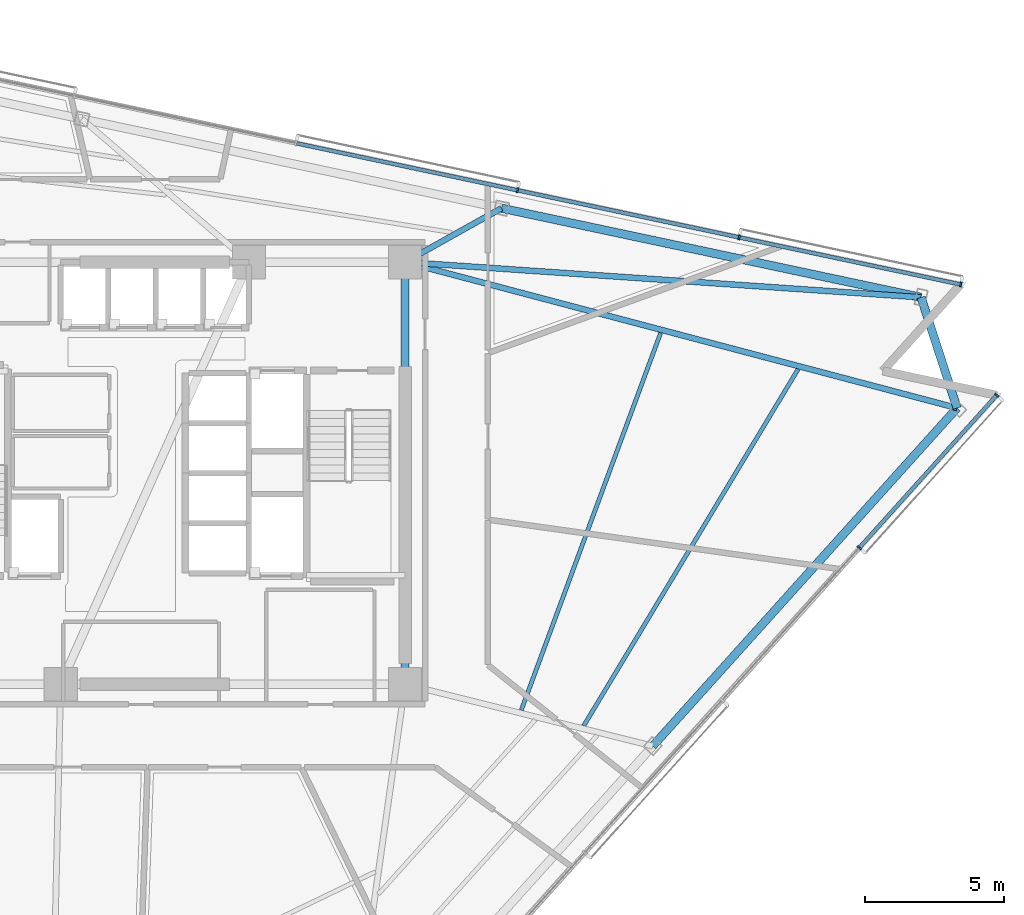
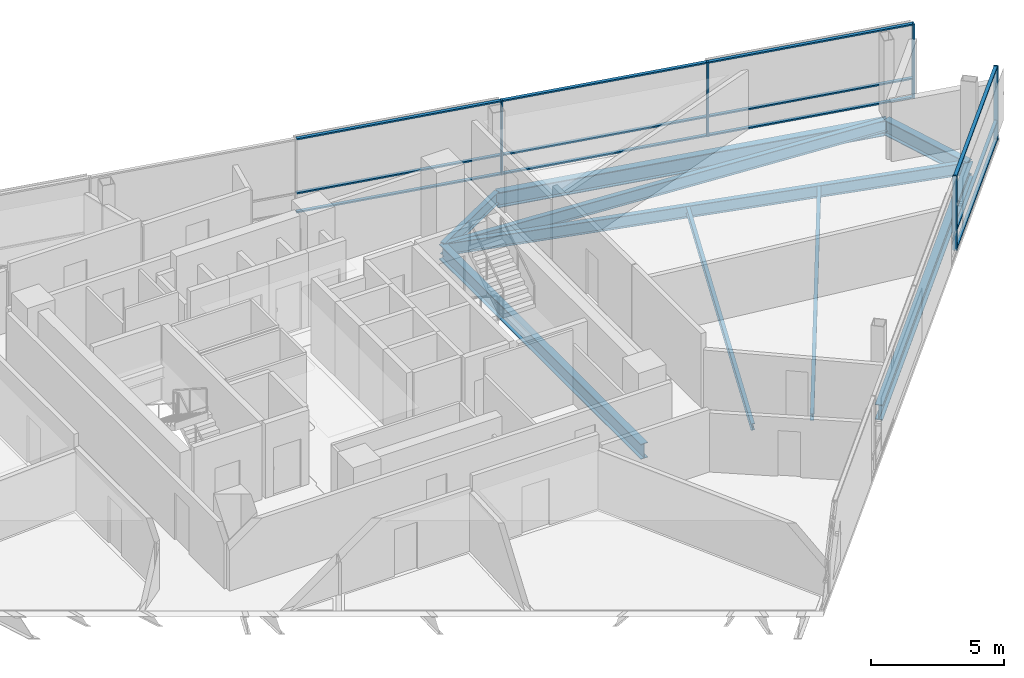
# One storey, part 8 of 17: 17 members, 9 beams, 2 elements without a shape of their own.
"""IFC4 building model written with IfcOpenShell, lengths in metres."""

from ifc_helpers import new_model, si_unit, direction, frame, origin, origin_2d, place, context, subcontext, project, spatial, rectangle, i_section, extrude, material, layer, layer_set, material_profile, profile_set, type_object, element, aggregate, save


model = new_model("IFC4")

# Units and contexts
model_context = context("Model", 3, precision=1e-05, world=origin(), true_north=direction((0.0, 1.0)))
body_context = subcontext(model_context, "Body", "Model", "MODEL_VIEW")
ifc_project = project(units=[si_unit("LENGTHUNIT", "METRE"), si_unit("AREAUNIT", "SQUARE_METRE"), si_unit("VOLUMEUNIT", "CUBIC_METRE"), si_unit("PLANEANGLEUNIT", "RADIAN"), si_unit("MASSUNIT", "GRAM", prefix="KILO")], contexts=[model_context])

# Site, building, storey
site_placement = place(None, origin())
site = spatial("IfcSite", under=ifc_project, at=site_placement, CompositionType="ELEMENT")
building_placement = place(site_placement, origin())
building = spatial("IfcBuilding", under=site, at=building_placement, Name="Tharavind Bronze Gate", CompositionType="ELEMENT")
storey_placement = place(building_placement, frame((0.0, 0.0, 214.85009765625)))
storey = spatial("IfcBuildingStorey", under=building, at=storey_placement, Name="L55", CompositionType="ELEMENT", Elevation=214.85009765625)

# Curtain wall, members
ifc_material_1 = material(Name="Anodised Bronze Aluminium", Category="aluminium")
ifc_layer = layer(ifc_material_1, 0.219970703125)
ifc_layer_set = layer_set([ifc_layer], Name="Anodised Bronze Aluminium")
curtain_wall_type = type_object("IfcCurtainWallType", Name="UNITISED CURTAIN WALL MID OFFICE", PredefinedType="USERDEFINED", material=ifc_layer_set)
curtain_wall_1_placement = place(storey_placement, origin())
curtain_wall_1 = element("IfcCurtainWall", 1, at=curtain_wall_1_placement, inside=storey, type_object=curtain_wall_type, Name="L55 unitised curtain wall mid office CW-L55-S2", ObjectType="UNITISED CURTAIN WALL", PredefinedType="USERDEFINED")
member_type_1 = type_object("IfcMemberType", Name="CURTAIN WALL BRONZE MULLION 65X180", PredefinedType="MULLION", material=ifc_material_1)
member_1_placement = place(storey_placement, frame((25.2548828125, -2.680908203125, 0.0), z_axis=(0.0, 0.0, 1.0), x_axis=(0.669130606359, 0.743144825477, 0.0)))
member_1 = element("IfcMember", 2, at=member_1_placement, type_object=member_type_1, Name="CW-L55-S2 mullion 7", PredefinedType="MULLION", context=body_context, shape_type="SweptSolid", body=[
    extrude(rectangle(XDim=0.06494140625, YDim=0.179931640625, at=origin_2d()), origin(), (0.0, 0.0, 1.0), 3.419921875),
])
member_2_placement = place(storey_placement, frame((30.199462890625, 2.810546875, 0.0), z_axis=(0.0, 0.0, 1.0), x_axis=(0.669130606359, 0.743144825477, 0.0)))
member_2 = element("IfcMember", 3, at=member_2_placement, type_object=member_type_1, Name="CW-L55-S2 mullion 8", PredefinedType="MULLION", context=body_context, shape_type="SweptSolid", body=[
    extrude(rectangle(XDim=0.06494140625, YDim=0.179931640625, at=origin_2d()), origin(), (0.0, 0.0, 1.0), 3.419921875),
])

curtain_wall_2_placement = place(storey_placement, origin())
curtain_wall_2 = element("IfcCurtainWall", 4, at=curtain_wall_2_placement, inside=storey, type_object=curtain_wall_type, Name="L55 unitised curtain wall mid office CW-L55-S3", ObjectType="UNITISED CURTAIN WALL", PredefinedType="USERDEFINED")
member_3_placement = place(storey_placement, frame((28.9052734375, 6.793701171875, 0.0), z_axis=(0.0, 0.0, 1.0), x_axis=(-0.978147600734, 0.207911690818, 0.0)))
member_3 = element("IfcMember", 5, at=member_3_placement, type_object=member_type_1, Name="CW-L55-S3 mullion 1", PredefinedType="MULLION", context=body_context, shape_type="SweptSolid", body=[
    extrude(rectangle(XDim=0.06494140625, YDim=0.179931640625, at=origin_2d()), origin(), (0.0, 0.0, 1.0), 3.419921875),
])
member_4_placement = place(storey_placement, frame((20.927734375, 8.4892578125, 0.0), z_axis=(0.0, 0.0, 1.0), x_axis=(-0.978147600734, 0.207911690818, 0.0)))
member_4 = element("IfcMember", 6, at=member_4_placement, type_object=member_type_1, Name="CW-L55-S3 mullion 2", PredefinedType="MULLION", context=body_context, shape_type="SweptSolid", body=[
    extrude(rectangle(XDim=0.06494140625, YDim=0.179931640625, at=origin_2d()), origin(), (0.0, 0.0, 1.0), 3.419921875),
])
member_5_placement = place(storey_placement, frame((12.9501953125, 10.184814453125, 0.0), z_axis=(0.0, 0.0, 1.0), x_axis=(-0.978147600734, 0.207911690818, 0.0)))
member_5 = element("IfcMember", 7, at=member_5_placement, type_object=member_type_1, Name="CW-L55-S3 mullion 3", PredefinedType="MULLION", context=body_context, shape_type="SweptSolid", body=[
    extrude(rectangle(XDim=0.06494140625, YDim=0.179931640625, at=origin_2d()), origin(), (0.0, 0.0, 1.0), 3.419921875),
])

# Member
member_type_2 = type_object("IfcMemberType", Name="CURTAIN WALL BRONZE TRANSOM 65X140", PredefinedType="USERDEFINED", material=ifc_material_1)
member_6_placement = place(storey_placement, frame((27.72705078125, 0.06494140625, 0.0), z_axis=(0.0, 0.0, 1.0), x_axis=(0.669130606359, 0.743144825477, 0.0)))
member_6 = element("IfcMember", 8, at=member_6_placement, type_object=member_type_2, Name="CW-L55-S2 transom TB7", ObjectType="TRANSOM", PredefinedType="USERDEFINED", context=body_context, shape_type="SweptSolid", body=[
    extrude(rectangle(XDim=7.33642578125, YDim=0.139892578125, at=origin_2d()), origin(), (0.0, 0.0, 1.0), 0.06494140625),
])

member_7_placement = place(storey_placement, frame((27.72705078125, 0.06494140625, 0.867431640625), z_axis=(0.0, 0.0, 1.0), x_axis=(0.669130606359, 0.743144825477, 0.0)))
member_7 = element("IfcMember", 9, at=member_7_placement, type_object=member_type_2, Name="CW-L55-S2 transom TS7", ObjectType="TRANSOM", PredefinedType="USERDEFINED", context=body_context, shape_type="SweptSolid", body=[
    extrude(rectangle(XDim=7.33642578125, YDim=0.139892578125, at=origin_2d()), origin(), (0.0, 0.0, 1.0), 0.06494140625),
])

member_8_placement = place(storey_placement, frame((27.72705078125, 0.06494140625, 3.35498046875), z_axis=(0.0, 0.0, 1.0), x_axis=(0.669130606359, 0.743144825477, 0.0)))
member_8 = element("IfcMember", 10, at=member_8_placement, type_object=member_type_2, Name="CW-L55-S2 transom TT7", ObjectType="TRANSOM", PredefinedType="USERDEFINED", context=body_context, shape_type="SweptSolid", body=[
    extrude(rectangle(XDim=7.33642578125, YDim=0.139892578125, at=origin_2d()), origin(), (0.0, 0.0, 1.0), 0.06494140625),
])

aggregate(curtain_wall_1, [member_1, member_2, member_6, member_7, member_8])

member_9_placement = place(storey_placement, frame((24.91650390625, 7.641357421875, 0.0), z_axis=(0.0, 0.0, 1.0), x_axis=(-0.978147600734, 0.207911690818, 0.0)))
member_9 = element("IfcMember", 11, at=member_9_placement, type_object=member_type_2, Name="CW-L55-S3 transom TB1", ObjectType="TRANSOM", PredefinedType="USERDEFINED", context=body_context, shape_type="SweptSolid", body=[
    extrude(rectangle(XDim=8.102783203125, YDim=0.139892578125, at=origin_2d()), origin(), (0.0, 0.0, 1.0), 0.06494140625),
])

member_10_placement = place(storey_placement, frame((24.91650390625, 7.641357421875, 0.867431640625), z_axis=(0.0, 0.0, 1.0), x_axis=(-0.978147600734, 0.207911690818, 0.0)))
member_10 = element("IfcMember", 12, at=member_10_placement, type_object=member_type_2, Name="CW-L55-S3 transom TS1", ObjectType="TRANSOM", PredefinedType="USERDEFINED", context=body_context, shape_type="SweptSolid", body=[
    extrude(rectangle(XDim=8.102783203125, YDim=0.139892578125, at=origin_2d()), origin(), (0.0, 0.0, 1.0), 0.06494140625),
])

member_11_placement = place(storey_placement, frame((24.91650390625, 7.641357421875, 3.35498046875), z_axis=(0.0, 0.0, 1.0), x_axis=(-0.978147600734, 0.207911690818, 0.0)))
member_11 = element("IfcMember", 13, at=member_11_placement, type_object=member_type_2, Name="CW-L55-S3 transom TT1", ObjectType="TRANSOM", PredefinedType="USERDEFINED", context=body_context, shape_type="SweptSolid", body=[
    extrude(rectangle(XDim=8.102783203125, YDim=0.139892578125, at=origin_2d()), origin(), (0.0, 0.0, 1.0), 0.06494140625),
])

member_12_placement = place(storey_placement, frame((16.93896484375, 9.337158203125, 0.0), z_axis=(0.0, 0.0, 1.0), x_axis=(-0.978147600734, 0.207911690818, 0.0)))
member_12 = element("IfcMember", 14, at=member_12_placement, type_object=member_type_2, Name="CW-L55-S3 transom TB2", ObjectType="TRANSOM", PredefinedType="USERDEFINED", context=body_context, shape_type="SweptSolid", body=[
    extrude(rectangle(XDim=8.102783203125, YDim=0.139892578125, at=origin_2d()), origin(), (0.0, 0.0, 1.0), 0.06494140625),
])

member_13_placement = place(storey_placement, frame((16.93896484375, 9.337158203125, 0.867431640625), z_axis=(0.0, 0.0, 1.0), x_axis=(-0.978147600734, 0.207911690818, 0.0)))
member_13 = element("IfcMember", 15, at=member_13_placement, type_object=member_type_2, Name="CW-L55-S3 transom TS2", ObjectType="TRANSOM", PredefinedType="USERDEFINED", context=body_context, shape_type="SweptSolid", body=[
    extrude(rectangle(XDim=8.102783203125, YDim=0.139892578125, at=origin_2d()), origin(), (0.0, 0.0, 1.0), 0.06494140625),
])

member_14_placement = place(storey_placement, frame((16.93896484375, 9.337158203125, 3.35498046875), z_axis=(0.0, 0.0, 1.0), x_axis=(-0.978147600734, 0.207911690818, 0.0)))
member_14 = element("IfcMember", 16, at=member_14_placement, type_object=member_type_2, Name="CW-L55-S3 transom TT2", ObjectType="TRANSOM", PredefinedType="USERDEFINED", context=body_context, shape_type="SweptSolid", body=[
    extrude(rectangle(XDim=8.102783203125, YDim=0.139892578125, at=origin_2d()), origin(), (0.0, 0.0, 1.0), 0.06494140625),
])

member_15_placement = place(storey_placement, frame((8.96142578125, 11.03271484375, 0.0), z_axis=(0.0, 0.0, 1.0), x_axis=(-0.978147600734, 0.207911690818, 0.0)))
member_15 = element("IfcMember", 17, at=member_15_placement, type_object=member_type_2, Name="CW-L55-S3 transom TB3", ObjectType="TRANSOM", PredefinedType="USERDEFINED", context=body_context, shape_type="SweptSolid", body=[
    extrude(rectangle(XDim=8.102783203125, YDim=0.139892578125, at=origin_2d()), origin(), (0.0, 0.0, 1.0), 0.06494140625),
])

member_16_placement = place(storey_placement, frame((8.96142578125, 11.03271484375, 0.867431640625), z_axis=(0.0, 0.0, 1.0), x_axis=(-0.978147600734, 0.207911690818, 0.0)))
member_16 = element("IfcMember", 18, at=member_16_placement, type_object=member_type_2, Name="CW-L55-S3 transom TS3", ObjectType="TRANSOM", PredefinedType="USERDEFINED", context=body_context, shape_type="SweptSolid", body=[
    extrude(rectangle(XDim=8.102783203125, YDim=0.139892578125, at=origin_2d()), origin(), (0.0, 0.0, 1.0), 0.06494140625),
])

member_17_placement = place(storey_placement, frame((8.96142578125, 11.03271484375, 3.35498046875), z_axis=(0.0, 0.0, 1.0), x_axis=(-0.978147600734, 0.207911690818, 0.0)))
member_17 = element("IfcMember", 19, at=member_17_placement, type_object=member_type_2, Name="CW-L55-S3 transom TT3", ObjectType="TRANSOM", PredefinedType="USERDEFINED", context=body_context, shape_type="SweptSolid", body=[
    extrude(rectangle(XDim=8.102783203125, YDim=0.139892578125, at=origin_2d()), origin(), (0.0, 0.0, 1.0), 0.06494140625),
])

aggregate(curtain_wall_2, [member_3, member_4, member_5, member_9, member_10, member_11, member_12, member_13, member_14, member_15, member_16, member_17])

# Beams
ifc_material_2 = material(Name="Steel S355", Category="steel")
ifc_material_profile_1 = material_profile(ifc_material_2, i_section(OverallWidth=0.2099609375, OverallDepth=0.550048828125, WebThickness=0.010986328125, FlangeThickness=0.01708984375, at=origin_2d()), Name="IPE550")
ifc_profile_set_1 = profile_set([ifc_material_profile_1], Name="Steel S355")
beam_type_1 = type_object("IfcBeamType", Name="PRIMARY GIRDER IPE550", PredefinedType="USERDEFINED", material=ifc_profile_set_1)
beam_1_placement = place(storey_placement, frame((28.772705078125, 2.34716796875, -0.455078125), z_axis=(-0.966795643793, 0.255550744749, 0.0), x_axis=(-0.255550744749, -0.966795643793, 0.0)))
element("IfcBeam", 20, at=beam_1_placement, inside=storey, type_object=beam_type_1, Name="L55 primary girder ipe550 BM-L55-RAD08", ObjectType="GIRDER", PredefinedType="USERDEFINED", context=body_context, shape_type="SweptSolid", body=[
    extrude(i_section(OverallWidth=0.2099609375, OverallDepth=0.550048828125, WebThickness=0.010986328125, FlangeThickness=0.01708984375, at=origin_2d()), origin(), (0.0, 0.0, 1.0), 20.555419921875),
])
beam_2_placement = place(storey_placement, frame((27.478515625, 6.330078125, -0.455078125), z_axis=(-0.997671665482, 0.068200057871, 0.0), x_axis=(-0.068200057871, -0.997671665482, 0.0)))
element("IfcBeam", 21, at=beam_2_placement, inside=storey, type_object=beam_type_1, Name="L55 primary girder ipe550 BM-L55-RAD09", ObjectType="GIRDER", PredefinedType="USERDEFINED", context=body_context, shape_type="SweptSolid", body=[
    extrude(i_section(OverallWidth=0.2099609375, OverallDepth=0.550048828125, WebThickness=0.010986328125, FlangeThickness=0.01708984375, at=origin_2d()), origin(), (0.0, 0.0, 1.0), 18.6220703125),
])
beam_3_placement = place(storey_placement, frame((12.370849609375, 9.54150390625, -0.455078125), z_axis=(-0.872755044117, -0.488158409708, 0.0), x_axis=(0.488158409708, -0.872755044117, 0.0)))
element("IfcBeam", 22, at=beam_3_placement, inside=storey, type_object=beam_type_1, Name="L55 primary girder ipe550 BM-L55-RAD10", ObjectType="GIRDER", PredefinedType="USERDEFINED", context=body_context, shape_type="SweptSolid", body=[
    extrude(i_section(OverallWidth=0.2099609375, OverallDepth=0.550048828125, WebThickness=0.010986328125, FlangeThickness=0.01708984375, at=origin_2d()), origin(), (0.0, 0.0, 1.0), 3.97705078125),
])
ifc_material_profile_2 = material_profile(ifc_material_2, i_section(OverallWidth=0.300048828125, OverallDepth=0.699951171875, WebThickness=0.01708984375, FlangeThickness=0.031982421875, at=origin_2d()), Name="HE700B")
ifc_profile_set_2 = profile_set([ifc_material_profile_2], Name="Steel S355")
beam_type_2 = type_object("IfcBeamType", Name="RING GIRDER HE700B", PredefinedType="USERDEFINED", material=ifc_profile_set_2)
beam_4_placement = place(storey_placement, frame((8.89990234375, -7.60009765625, -0.530029296875), z_axis=(0.0, 1.0, 0.0), x_axis=(-1.0, 0.0, 0.0)))
element("IfcBeam", 23, at=beam_4_placement, inside=storey, type_object=beam_type_2, Name="L55 ring girder he700b BM-L55-CR3", ObjectType="GIRDER", PredefinedType="USERDEFINED", context=body_context, shape_type="SweptSolid", body=[
    extrude(i_section(OverallWidth=0.300048828125, OverallDepth=0.699951171875, WebThickness=0.01708984375, FlangeThickness=0.031982421875, at=origin_2d()), origin(), (0.0, 0.0, 1.0), 15.2001953125),
])
beam_5_placement = place(storey_placement, frame((17.815185546875, -9.82275390625, -0.530029296875), z_axis=(0.669119566961, 0.743154765248, 0.0), x_axis=(-0.743154765248, 0.669119566961, 0.0)))
element("IfcBeam", 24, at=beam_5_placement, inside=storey, type_object=beam_type_2, Name="L55 ring girder he700b BM-L55-PRG07", ObjectType="GIRDER", PredefinedType="USERDEFINED", context=body_context, shape_type="SweptSolid", body=[
    extrude(i_section(OverallWidth=0.300048828125, OverallDepth=0.699951171875, WebThickness=0.01708984375, FlangeThickness=0.031982421875, at=origin_2d()), origin(), (0.0, 0.0, 1.0), 16.3759765625),
])
beam_6_placement = place(storey_placement, frame((28.772705078125, 2.34716796875, -0.530029296875), z_axis=(-0.309030708092, 0.951052060329, 0.0), x_axis=(-0.951052060329, -0.309030708092, 0.0)))
element("IfcBeam", 25, at=beam_6_placement, inside=storey, type_object=beam_type_2, Name="L55 ring girder he700b BM-L55-PRG08", ObjectType="GIRDER", PredefinedType="USERDEFINED", context=body_context, shape_type="SweptSolid", body=[
    extrude(i_section(OverallWidth=0.300048828125, OverallDepth=0.699951171875, WebThickness=0.01708984375, FlangeThickness=0.031982421875, at=origin_2d()), origin(), (0.0, 0.0, 1.0), 4.18798828125),
])
beam_7_placement = place(storey_placement, frame((27.478515625, 6.330078125, -0.530029296875), z_axis=(-0.978145069448, 0.207923599223, 0.0), x_axis=(-0.207923599223, -0.978145069448, 0.0)))
element("IfcBeam", 26, at=beam_7_placement, inside=storey, type_object=beam_type_2, Name="L55 ring girder he700b BM-L55-PRG09", ObjectType="GIRDER", PredefinedType="USERDEFINED", context=body_context, shape_type="SweptSolid", body=[
    extrude(i_section(OverallWidth=0.300048828125, OverallDepth=0.699951171875, WebThickness=0.01708984375, FlangeThickness=0.031982421875, at=origin_2d()), origin(), (0.0, 0.0, 1.0), 15.4453125),
])
ifc_material_profile_3 = material_profile(ifc_material_2, i_section(OverallWidth=0.14990234375, OverallDepth=0.300048828125, WebThickness=0.007080078125, FlangeThickness=0.0107421875, at=origin_2d()), Name="IPE300")
ifc_profile_set_3 = profile_set([ifc_material_profile_3], Name="Steel S355")
beam_type_3 = type_object("IfcBeamType", Name="SECONDARY FLOOR JOIST IPE300", PredefinedType="JOIST", material=ifc_profile_set_3)
beam_8_placement = place(storey_placement, frame((13.08349609375, -8.53076171875, -0.330078125), z_axis=(0.346563730463, 0.938026428587, 0.0), x_axis=(-0.938026428587, 0.346563730463, 0.0)))
element("IfcBeam", 27, at=beam_8_placement, inside=storey, type_object=beam_type_3, Name="L55 secondary floor joist ipe300 BM-L55-JSTA07", PredefinedType="JOIST", context=body_context, shape_type="SweptSolid", body=[
    extrude(i_section(OverallWidth=0.14990234375, OverallDepth=0.300048828125, WebThickness=0.007080078125, FlangeThickness=0.0107421875, at=origin_2d()), origin(), (0.0, 0.0, 1.0), 14.48291015625),
])
beam_9_placement = place(storey_placement, frame((15.3330078125, -9.091796875, -0.330078125), z_axis=(0.515205011559, 0.857066972917, 0.0), x_axis=(-0.857066972917, 0.515205011559, 0.0)))
element("IfcBeam", 28, at=beam_9_placement, inside=storey, type_object=beam_type_3, Name="L55 secondary floor joist ipe300 BM-L55-JSTB07", PredefinedType="JOIST", context=body_context, shape_type="SweptSolid", body=[
    extrude(i_section(OverallWidth=0.14990234375, OverallDepth=0.300048828125, WebThickness=0.007080078125, FlangeThickness=0.0107421875, at=origin_2d()), origin(), (0.0, 0.0, 1.0), 14.97998046875),
])

save(model, "model.ifc")
